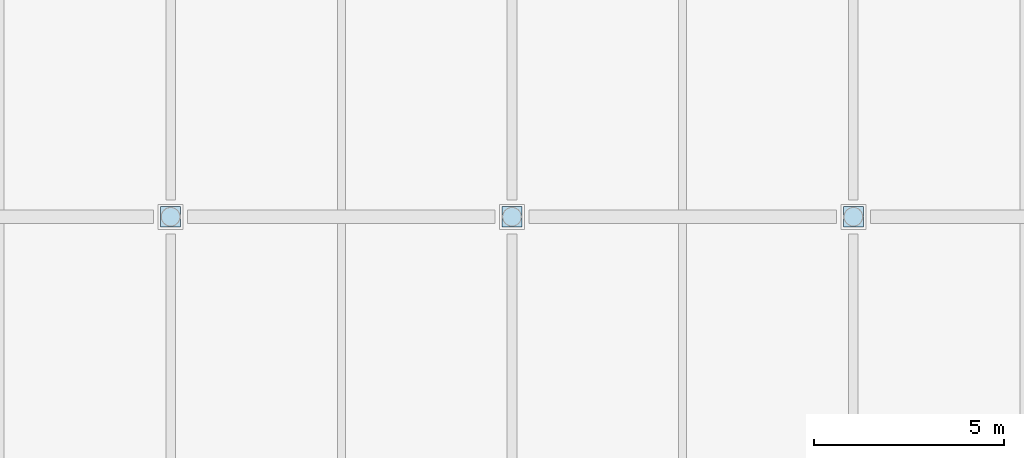
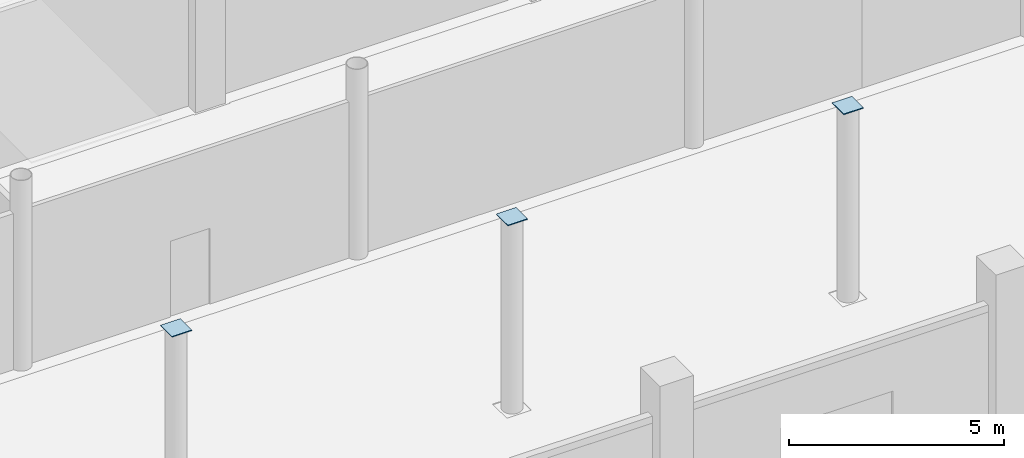
# One storey, part 80 of 137: 3 plates.
"""IFC4 building model written with IfcOpenShell, lengths in metres."""

from ifc_helpers import new_model, si_unit, direction, frame, origin, origin_2d, place, context, subcontext, project, spatial, rectangle, extrude, material, layer, layer_set, type_object, element, save


model = new_model("IFC4")

# Units and contexts
model_context = context("Model", 3, precision=1e-05, world=origin(), true_north=direction((0.0, 1.0)))
body_context = subcontext(model_context, "Body", "Model", "MODEL_VIEW")
ifc_project = project(units=[si_unit("LENGTHUNIT", "METRE"), si_unit("AREAUNIT", "SQUARE_METRE"), si_unit("VOLUMEUNIT", "CUBIC_METRE"), si_unit("PLANEANGLEUNIT", "RADIAN"), si_unit("MASSUNIT", "GRAM", prefix="KILO")], contexts=[model_context])

# Site, building, storey
site_placement = place(None, origin())
site = spatial("IfcSite", under=ifc_project, at=site_placement, CompositionType="ELEMENT")
building_placement = place(site_placement, origin())
building = spatial("IfcBuilding", under=site, at=building_placement, Name="Celestram Park Convention Centre", CompositionType="ELEMENT")
storey_placement = place(building_placement, origin())
storey = spatial("IfcBuildingStorey", under=building, at=storey_placement, Name="L00", CompositionType="ELEMENT", Elevation=0.0)

# Plates
ifc_material = material(Name="Steel ASTM A572 Grade 50", Category="steel")
ifc_layer = layer(ifc_material, 0.02490234375)
ifc_layer_set = layer_set([ifc_layer], Name="Steel ASTM A572 Grade 50")
plate_type = type_object("IfcPlateType", Name="STR-PLT-EC500", PredefinedType="USERDEFINED", material=ifc_layer_set)
for number, where, z_axis, x_axis, name in (
    (1, (54.0, 115.199951171875, 5.399658203125), (0.0, 0.0, 1.0), (1.0, 0.0, 0.0), "HSS column end closure cap plate EC-L00-013"),
    (2, (63.0, 115.199951171875, 5.399658203125), (0.0, 0.0, 1.0), (1.0, 0.0, 0.0), "HSS column end closure cap plate EC-L00-016"),
    (3, (72.0, 115.199951171875, 5.399658203125), (0.0, 0.0, 1.0), (1.0, 0.0, 0.0), "HSS column end closure cap plate EC-L00-019"),
):
    element("IfcPlate", number, at=place(storey_placement, frame(where, z_axis=z_axis, x_axis=x_axis)), inside=storey, type_object=plate_type, Name=name, ObjectType="GUSSET_PLATE", PredefinedType="USERDEFINED", context=body_context, shape_type="SweptSolid", body=[
        extrude(rectangle(XDim=0.530029296875, YDim=0.530029296875, at=origin_2d()), origin(), (0.0, 0.0, 1.0), 0.02490234375),
    ])

save(model, "model.ifc")
